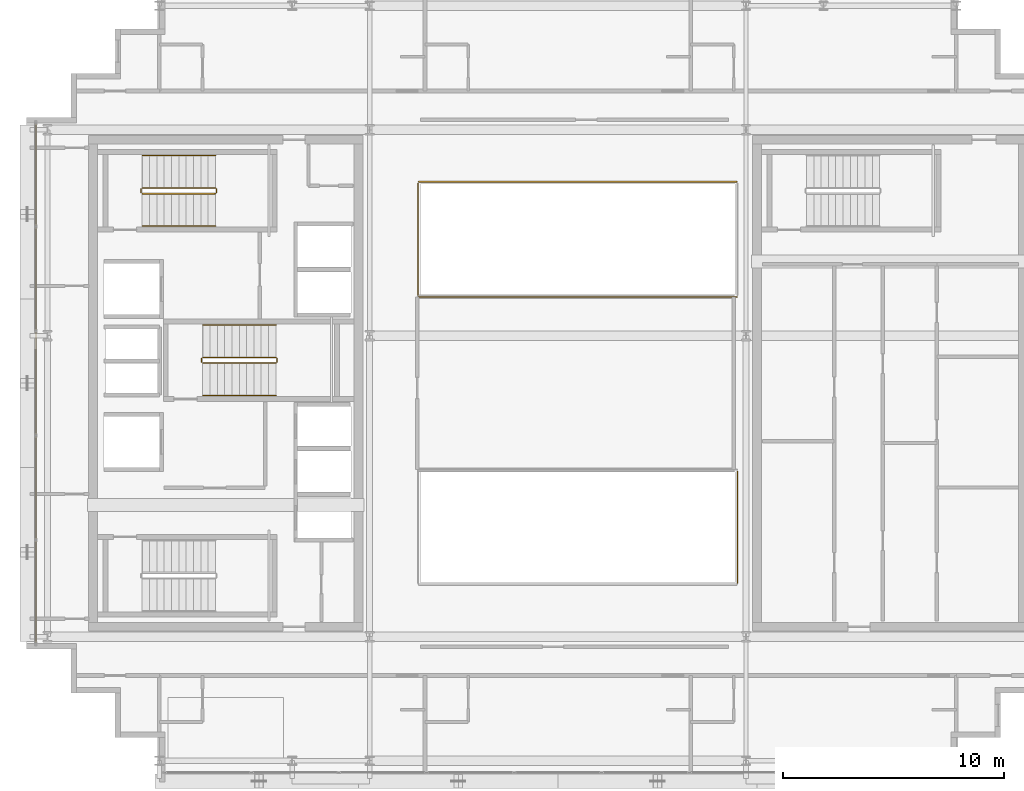
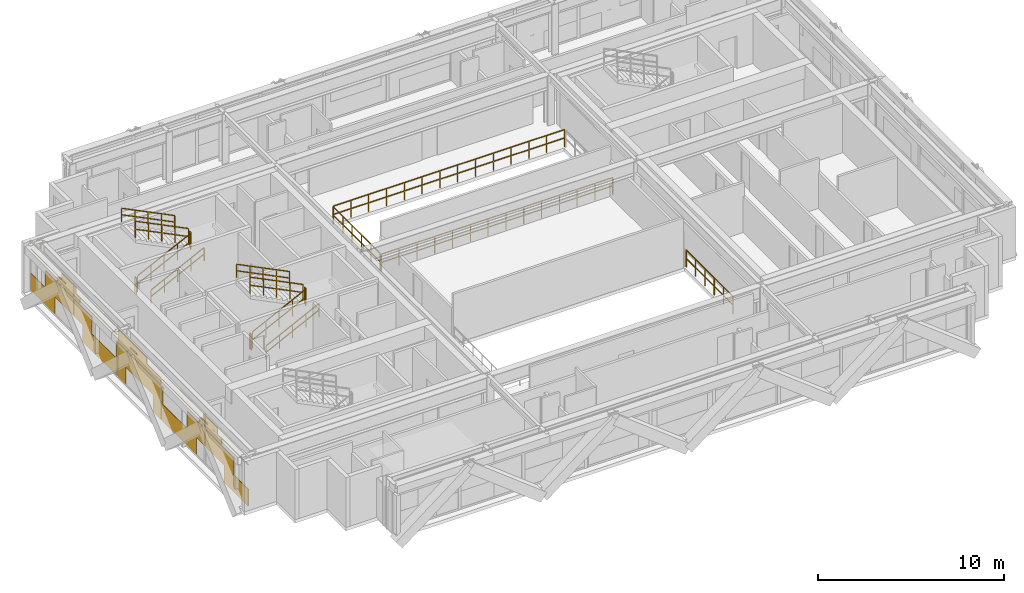
# One storey, part 26 of 28: 16 railings, 1 covering.
"""IFC4 building model written with IfcOpenShell, lengths in metres."""

import ifcopenshell
import ifcopenshell.guid

model = None  # the IFC model being written
_history = None  # IfcOwnerHistory: only IFC2X3 demands one
_inside = {}  # id of a spatial element -> (the spatial element, [elements in it])
_under = {}  # id of a project, library or spatial element -> (it, [spatial elements below it])
_declared = {}  # id of a project -> (the project, [libraries it declares])
_typed = {}  # id of a type object -> (the type object, [elements of that type])
_made_of = {}  # id of a material, layer set ... -> (it, [elements and type objects made of it])


def new_model(schema):
    """Start an empty IFC model of exactly this schema.

    Asked for "IFC4X3", IfcOpenShell would pick the latest addendum, in which some entities
    have other attributes; the version numbers below select the first issue.
    IFC2X3 requires an IfcOwnerHistory on every rooted entity: one is made here for all.
    """
    global model, _history
    if schema == "IFC4X3":
        model = ifcopenshell.file(schema_version=(4, 3, 0, 0))
    else:
        model = ifcopenshell.file(schema=schema)
    _inside.clear()
    _under.clear()
    _declared.clear()
    _typed.clear()
    _made_of.clear()
    _history = None
    if model.schema == "IFC2X3":
        org = make("IfcOrganization", Name="unknown")
        user = make(
            "IfcPersonAndOrganization",
            ThePerson=make("IfcPerson", FamilyName="unknown"),
            TheOrganization=org,
        )
        app = make(
            "IfcApplication",
            ApplicationDeveloper=org,
            Version="unknown",
            ApplicationFullName="unknown",
            ApplicationIdentifier="unknown",
        )
        _history = make(
            "IfcOwnerHistory",
            OwningUser=user,
            OwningApplication=app,
            ChangeAction="ADDED",
            CreationDate=0,
        )
    return model


def make(cls, **values):
    """One entity of the class cls with the attributes given. An attribute that is None is left unset."""
    return model.create_entity(
        cls, **{name: value for name, value in values.items() if value is not None}
    )


def rooted(cls, **values):
    """An entity with a GlobalId (a new one), such as an element, a storey or a relation."""
    return make(cls, GlobalId=ifcopenshell.guid.new(), OwnerHistory=_history, **values)


def si_unit(unit_type, name, prefix=None):
    """IfcSIUnit, for example si_unit("LENGTHUNIT", "METRE", prefix="MILLI")."""
    return make("IfcSIUnit", UnitType=unit_type, Prefix=prefix, Name=name)


def assignment(units):
    """IfcUnitAssignment: the units of a project."""
    return None if units is None else make("IfcUnitAssignment", Units=units)


def point(xyz):
    """IfcCartesianPoint."""
    return None if xyz is None else make("IfcCartesianPoint", Coordinates=xyz)


def direction(xyz):
    """IfcDirection."""
    return None if xyz is None else make("IfcDirection", DirectionRatios=xyz)


def frame(location, z_axis=None, x_axis=None):
    """IfcAxis2Placement3D, a coordinate frame: its origin and axes. An axis left out is left unset."""
    return make(
        "IfcAxis2Placement3D",
        Location=point(location),
        Axis=direction(z_axis),
        RefDirection=direction(x_axis),
    )


def frame_2d(location, x_axis=None):
    """IfcAxis2Placement2D, a coordinate frame in the plane: its origin and x axis."""
    return make(
        "IfcAxis2Placement2D", Location=point(location), RefDirection=direction(x_axis)
    )


def origin():
    """The frame at (0, 0, 0) with its axes left unset."""
    return frame((0.0, 0.0, 0.0))


def origin_2d():
    """The frame at (0, 0) in the plane with its x axis left unset."""
    return frame_2d((0.0, 0.0))


def place(relative_to, where):
    """IfcLocalPlacement: puts the frame where relative to a parent placement (None: the world)."""
    return make(
        "IfcLocalPlacement", PlacementRelTo=relative_to, RelativePlacement=where
    )


def context(
    kind, dimensions, precision=None, world=None, true_north=None, identifier=None
):
    """IfcGeometricRepresentationContext, for example the 3D "Model" context."""
    return make(
        "IfcGeometricRepresentationContext",
        ContextIdentifier=identifier,
        ContextType=kind,
        CoordinateSpaceDimension=dimensions,
        Precision=precision,
        WorldCoordinateSystem=world,
        TrueNorth=true_north,
    )


def subcontext(parent, identifier, kind, view, scale=None):
    """IfcGeometricRepresentationSubContext, for example "Body" below "Model"."""
    return make(
        "IfcGeometricRepresentationSubContext",
        ContextIdentifier=identifier,
        ContextType=kind,
        ParentContext=parent,
        TargetScale=scale,
        TargetView=view,
    )


def project(units=None, contexts=None):
    """IfcProject with its units and contexts."""
    return rooted(
        "IfcProject",
        Name="project",
        RepresentationContexts=contexts,
        UnitsInContext=assignment(units),
    )


def spatial(cls, under=None, at=None, **own):
    """A site, building, storey or space (cls), placed at a placement, below another one or the project."""
    s = rooted(cls, ObjectPlacement=at, **own)
    if under is not None:
        _under.setdefault(under.id(), (under, []))[1].append(s)
    return s


def profile(cls, at=None, kind="AREA", **sizes):
    """A parametric profile (cls). Its sizes go by their IFC names, for example OverallWidth=200.0."""
    return make(cls, ProfileType=kind, Position=at, **sizes)


def rectangle(**sizes):
    """IfcRectangleProfileDef."""
    return profile("IfcRectangleProfileDef", **sizes)


def extrude(swept, where, along, depth):
    """IfcExtrudedAreaSolid: the profile swept, set in the frame where, extruded along a direction by depth."""
    return make(
        "IfcExtrudedAreaSolid",
        SweptArea=swept,
        Position=where,
        ExtrudedDirection=direction(along),
        Depth=depth,
    )


def shape(context_of_items, identifier, shape_type, items):
    """IfcShapeRepresentation: the items that make up one representation, for example the "Body"."""
    return make(
        "IfcShapeRepresentation",
        ContextOfItems=context_of_items,
        RepresentationIdentifier=identifier,
        RepresentationType=shape_type,
        Items=items,
    )


def material(Name=None, Category=None):
    """IfcMaterial."""
    return make("IfcMaterial", Name=Name, Category=Category)


def layer(
    of_material, thickness, ventilated=None, Name=None, Category=None, Priority=None
):
    """IfcMaterialLayer: one layer of a wall or slab, of a material (None: an air gap)."""
    return make(
        "IfcMaterialLayer",
        Material=of_material,
        LayerThickness=thickness,
        IsVentilated=ventilated,
        Name=Name,
        Category=Category,
        Priority=Priority,
    )


def layer_set(layers, Name=None):
    """IfcMaterialLayerSet."""
    return make("IfcMaterialLayerSet", MaterialLayers=layers, LayerSetName=Name)


def made_of(thing, what):
    """Note that an element or type object is made of a material, layer set ...; save() writes the relation."""
    if what is not None:
        _made_of.setdefault(what.id(), (what, []))[1].append(thing)
    return thing


def type_object(cls, material=None, **own):
    """A type object (cls), such as IfcWallType, which elements share."""
    return made_of(rooted(cls, **own), material)


def element(
    cls,
    number,
    at=None,
    inside=None,
    cuts=None,
    type_object=None,
    material=None,
    context=None,
    identifier="Body",
    shape_type=None,
    held_by="IfcProductDefinitionShape",
    body=None,
    shapes=None,
    **own,
):
    """One element of the class cls, such as IfcWall. Its Tag is "e" and its number.

    at: its placement. inside: the storey or other place that contains it. cuts: it is an
    opening in that element (IfcRelVoidsElement). A single representation is given by context,
    identifier, shape_type and body (its items); several are given by shapes. held_by: the class
    of the entity that holds the representations. save() writes the other relations.
    """
    e = rooted(cls, Tag="e%d" % number, ObjectPlacement=at, **own)
    if body is not None:
        shapes = [shape(context, identifier, shape_type, body)]
    if shapes is not None:
        e.Representation = make(held_by, Representations=shapes)
    if inside is not None:
        _inside.setdefault(inside.id(), (inside, []))[1].append(e)
    if cuts is not None:
        rooted(
            "IfcRelVoidsElement", RelatingBuildingElement=cuts, RelatedOpeningElement=e
        )
    if type_object is not None:
        _typed.setdefault(type_object.id(), (type_object, []))[1].append(e)
    return made_of(e, material)


def aggregate(whole, parts):
    """IfcRelAggregates: a whole, such as a stair, and the parts it consists of."""
    return rooted("IfcRelAggregates", RelatingObject=whole, RelatedObjects=parts)


def save(model, path):
    """Write the relations noted so far, then the file.

    IfcRelAggregates (storeys below a building ...), IfcRelContainedInSpatialStructure (elements
    in a storey), IfcRelDefinesByType, IfcRelAssociatesMaterial and IfcRelDeclares: one each for
    every whole, place, type object, material and project.
    """
    for whole, parts in _under.values():
        aggregate(whole, parts)
    for where, things in _inside.values():
        rooted(
            "IfcRelContainedInSpatialStructure",
            RelatedElements=things,
            RelatingStructure=where,
        )
    for kind, things in _typed.values():
        rooted("IfcRelDefinesByType", RelatedObjects=things, RelatingType=kind)
    for what, things in _made_of.values():
        rooted("IfcRelAssociatesMaterial", RelatedObjects=things, RelatingMaterial=what)
    for by, libraries in _declared.values():
        rooted("IfcRelDeclares", RelatingContext=by, RelatedDefinitions=libraries)
    model.write(path)


model = new_model("IFC4")

# Units and contexts
model_context = context("Model", 3, precision=1e-05, world=origin(), true_north=direction((0.0, 1.0)))
body_context = subcontext(model_context, "Body", "Model", "MODEL_VIEW")
ifc_project = project(units=[si_unit("LENGTHUNIT", "METRE"), si_unit("AREAUNIT", "SQUARE_METRE"), si_unit("VOLUMEUNIT", "CUBIC_METRE"), si_unit("PLANEANGLEUNIT", "RADIAN"), si_unit("MASSUNIT", "GRAM", prefix="KILO")], contexts=[model_context])

# Site, building, storey
site_placement = place(None, origin())
site = spatial("IfcSite", under=ifc_project, at=site_placement, CompositionType="ELEMENT")
building_placement = place(site_placement, origin())
building = spatial("IfcBuilding", under=site, at=building_placement, Name="Ocotamira Hotel", CompositionType="ELEMENT")
storey_placement = place(building_placement, frame((0.0, 0.0, 243.60009765625)))
storey = spatial("IfcBuildingStorey", under=building, at=storey_placement, Name="L61", CompositionType="ELEMENT", Elevation=243.60009765625)

# Covering
ifc_material_1 = material(Name="Insulated pale-metal aluminium spandrel panel", Category="aluminium")
ifc_layer = layer(ifc_material_1, 0.044921875)
ifc_layer_set = layer_set([ifc_layer], Name="Insulated pale-metal aluminium spandrel panel")
covering_type = type_object("IfcCoveringType", Name="COV-INFILL-45", PredefinedType="CLADDING", material=ifc_layer_set)
covering_placement = place(storey_placement, origin())
element("IfcCovering", 1, at=covering_placement, inside=storey, type_object=covering_type, Name="L61 Curtain Wall Infill CW-5 CW-L61-W", PredefinedType="CLADDING", context=body_context, shape_type="SweptSolid", body=[
    extrude(rectangle(XDim=2.60107421875, YDim=0.044921875, at=origin_2d()), frame((8.419921875, 15.5810546875, 0.075439453125), z_axis=(0.0, 0.0, 1.0), x_axis=(0.0, 1.0, 0.0)), (0.0, 0.0, 1.0), 1.11767578125),
    extrude(rectangle(XDim=3.03271484375, YDim=0.044921875, at=origin_2d()), frame((8.419921875, 17.36328125, 1.19384765625), z_axis=(0.0, 0.0, 1.0), x_axis=(0.0, 1.0, 0.0)), (0.0, 0.0, 1.0), 1.117919921875),
    extrude(rectangle(XDim=4.59912109375, YDim=0.044921875, at=origin_2d()), frame((8.419921875, 16.580078125, 2.76171875), z_axis=(0.0, 0.0, 1.0), x_axis=(0.0, 1.0, 0.0)), (0.0, 0.0, 1.0), 0.026611328125),
    extrude(rectangle(XDim=1.73095703125, YDim=0.044921875, at=origin_2d()), frame((8.419921875, 18.01416015625, 2.3876953125), z_axis=(0.0, 0.0, 1.0), x_axis=(0.0, 1.0, 0.0)), (0.0, 0.0, 1.0), 0.372802734375),
    extrude(rectangle(XDim=1.293212890625, YDim=0.044921875, at=origin_2d()), frame((8.419921875, 18.23291015625, 2.789306640625), z_axis=(0.0, 0.0, 1.0), x_axis=(0.0, 1.0, 0.0)), (0.0, 0.0, 1.0), 0.4150390625),
    extrude(rectangle(XDim=1.92578125, YDim=0.044921875, at=origin_2d()), frame((8.419921875, 19.92333984375, 1.19384765625), z_axis=(0.0, 0.0, 1.0), x_axis=(0.0, 1.0, 0.0)), (0.0, 0.0, 1.0), 1.117919921875),
    extrude(rectangle(XDim=3.747802734375, YDim=0.044921875, at=origin_2d()), frame((8.419921875, 21.7255859375, 0.075439453125), z_axis=(0.0, 0.0, 1.0), x_axis=(0.0, 1.0, 0.0)), (0.0, 0.0, 1.0), 1.11767578125),
    extrude(rectangle(XDim=0.119384765625, YDim=0.044921875, at=origin_2d()), frame((8.419921875, 23.539794921875, 1.19384765625), z_axis=(0.0, 0.0, 1.0), x_axis=(0.0, 1.0, 0.0)), (0.0, 0.0, 1.0), 1.117919921875),
    extrude(rectangle(XDim=0.6240234375, YDim=0.044921875, at=origin_2d()), frame((8.419921875, 19.2724609375, 2.3876953125), z_axis=(0.0, 0.0, 1.0), x_axis=(0.0, 1.0, 0.0)), (0.0, 0.0, 1.0), 0.372802734375),
    extrude(rectangle(XDim=4.638916015625, YDim=0.044921875, at=origin_2d()), frame((8.419921875, 21.280029296875, 2.76171875), z_axis=(0.0, 0.0, 1.0), x_axis=(0.0, 1.0, 0.0)), (0.0, 0.0, 1.0), 0.026611328125),
    extrude(rectangle(XDim=0.186279296875, YDim=0.044921875, at=origin_2d()), frame((8.419921875, 19.0537109375, 2.789306640625), z_axis=(0.0, 0.0, 1.0), x_axis=(0.0, 1.0, 0.0)), (0.0, 0.0, 1.0), 0.4150390625),
    extrude(rectangle(XDim=0.83447265625, YDim=0.044921875, at=origin_2d()), frame((8.419921875, 24.09765625, 0.075439453125), z_axis=(0.0, 0.0, 1.0), x_axis=(0.0, 1.0, 0.0)), (0.0, 0.0, 1.0), 1.11767578125),
    extrude(rectangle(XDim=4.638916015625, YDim=0.044921875, at=origin_2d()), frame((8.419921875, 26.0, 1.19384765625), z_axis=(0.0, 0.0, 1.0), x_axis=(0.0, 1.0, 0.0)), (0.0, 0.0, 1.0), 1.117919921875),
    extrude(rectangle(XDim=0.83447265625, YDim=0.044921875, at=origin_2d()), frame((8.419921875, 27.90234375, 0.075439453125), z_axis=(0.0, 0.0, 1.0), x_axis=(0.0, 1.0, 0.0)), (0.0, 0.0, 1.0), 1.11767578125),
    extrude(rectangle(XDim=4.638916015625, YDim=0.044921875, at=origin_2d()), frame((8.419921875, 26.0, 2.387939453125), z_axis=(0.0, 0.0, 1.0), x_axis=(0.0, 1.0, 0.0)), (0.0, 0.0, 1.0), 0.400390625),
    extrude(rectangle(XDim=3.099609375, YDim=0.044921875, at=origin_2d()), frame((8.419921875, 26.76953125, 2.789306640625), z_axis=(0.0, 0.0, 1.0), x_axis=(0.0, 1.0, 0.0)), (0.0, 0.0, 1.0), 0.4150390625),
    extrude(rectangle(XDim=3.747802734375, YDim=0.044921875, at=origin_2d()), frame((8.419921875, 30.2744140625, 0.075439453125), z_axis=(0.0, 0.0, 1.0), x_axis=(0.0, 1.0, 0.0)), (0.0, 0.0, 1.0), 1.11767578125),
    extrude(rectangle(XDim=0.119384765625, YDim=0.044921875, at=origin_2d()), frame((8.419921875, 28.460205078125, 1.19384765625), z_axis=(0.0, 0.0, 1.0), x_axis=(0.0, 1.0, 0.0)), (0.0, 0.0, 1.0), 1.117919921875),
    extrude(rectangle(XDim=1.92578125, YDim=0.044921875, at=origin_2d()), frame((8.419921875, 32.07666015625, 1.19384765625), z_axis=(0.0, 0.0, 1.0), x_axis=(0.0, 1.0, 0.0)), (0.0, 0.0, 1.0), 1.117919921875),
    extrude(rectangle(XDim=4.638916015625, YDim=0.044921875, at=origin_2d()), frame((8.419921875, 30.719970703125, 2.76171875), z_axis=(0.0, 0.0, 1.0), x_axis=(0.0, 1.0, 0.0)), (0.0, 0.0, 1.0), 0.026611328125),
    extrude(rectangle(XDim=0.6240234375, YDim=0.044921875, at=origin_2d()), frame((8.419921875, 32.7275390625, 2.3876953125), z_axis=(0.0, 0.0, 1.0), x_axis=(0.0, 1.0, 0.0)), (0.0, 0.0, 1.0), 0.372802734375),
    extrude(rectangle(XDim=0.186279296875, YDim=0.044921875, at=origin_2d()), frame((8.419921875, 32.9462890625, 2.789306640625), z_axis=(0.0, 0.0, 1.0), x_axis=(0.0, 1.0, 0.0)), (0.0, 0.0, 1.0), 0.4150390625),
    extrude(rectangle(XDim=3.03271484375, YDim=0.044921875, at=origin_2d()), frame((8.419921875, 34.63671875, 1.19384765625), z_axis=(0.0, 0.0, 1.0), x_axis=(0.0, 1.0, 0.0)), (0.0, 0.0, 1.0), 1.117919921875),
    extrude(rectangle(XDim=2.60107421875, YDim=0.044921875, at=origin_2d()), frame((8.419921875, 36.4189453125, 0.075439453125), z_axis=(0.0, 0.0, 1.0), x_axis=(0.0, 1.0, 0.0)), (0.0, 0.0, 1.0), 1.11767578125),
    extrude(rectangle(XDim=1.73095703125, YDim=0.044921875, at=origin_2d()), frame((8.419921875, 33.98583984375, 2.3876953125), z_axis=(0.0, 0.0, 1.0), x_axis=(0.0, 1.0, 0.0)), (0.0, 0.0, 1.0), 0.372802734375),
    extrude(rectangle(XDim=4.59912109375, YDim=0.044921875, at=origin_2d()), frame((8.419921875, 35.419921875, 2.76171875), z_axis=(0.0, 0.0, 1.0), x_axis=(0.0, 1.0, 0.0)), (0.0, 0.0, 1.0), 0.026611328125),
    extrude(rectangle(XDim=1.293212890625, YDim=0.044921875, at=origin_2d()), frame((8.419921875, 33.76708984375, 2.789306640625), z_axis=(0.0, 0.0, 1.0), x_axis=(0.0, 1.0, 0.0)), (0.0, 0.0, 1.0), 0.4150390625),
])

# Railings
ifc_material_2 = material(Name="Painted steel stair guardrail", Category="steel")
railing_type_1 = type_object("IfcRailingType", Name="RL-EDGE-1150", PredefinedType="GUARDRAIL", material=ifc_material_2)
railing_1_placement = place(storey_placement, frame((40.1201171875, 16.97998046875, 0.0)))
element("IfcRailing", 2, at=railing_1_placement, inside=storey, type_object=railing_type_1, Name="L61 Atrium Bridge Lightwell Guard S E", PredefinedType="GUARDRAIL", context=body_context, shape_type="SweptSolid", body=[
    extrude(rectangle(XDim=0.048095703125, YDim=0.048095703125, at=origin_2d()), frame((0.0, 0.0, 1.1259765625), z_axis=(0.0, 1.0, 0.0), x_axis=(-1.0, 0.0, 0.0)), (0.0, 0.0, 1.0), 5.0400390625),
    extrude(rectangle(XDim=0.048095703125, YDim=0.048095703125, at=origin_2d()), frame((0.0, 0.0, 0.574951171875), z_axis=(0.0, 1.0, 0.0), x_axis=(-1.0, 0.0, 0.0)), (0.0, 0.0, 1.0), 5.0400390625),
    extrude(rectangle(XDim=0.0419921875, YDim=0.0419921875, at=origin_2d()), origin(), (0.0, 0.0, 1.0), 1.101806640625),
    extrude(rectangle(XDim=0.0419921875, YDim=0.0419921875, at=origin_2d()), frame((0.0, 1.008056640625, 0.0)), (0.0, 0.0, 1.0), 1.101806640625),
    extrude(rectangle(XDim=0.0419921875, YDim=0.0419921875, at=origin_2d()), frame((0.0, 2.01611328125, 0.0)), (0.0, 0.0, 1.0), 1.101806640625),
    extrude(rectangle(XDim=0.0419921875, YDim=0.0419921875, at=origin_2d()), frame((0.0, 3.02392578125, 0.0)), (0.0, 0.0, 1.0), 1.101806640625),
    extrude(rectangle(XDim=0.0419921875, YDim=0.0419921875, at=origin_2d()), frame((0.0, 4.031982421875, 0.0)), (0.0, 0.0, 1.0), 1.101806640625),
    extrude(rectangle(XDim=0.0419921875, YDim=0.0419921875, at=origin_2d()), frame((0.0, 5.0400390625, 0.0)), (0.0, 0.0, 1.0), 1.101806640625),
])
railing_2_placement = place(storey_placement, frame((25.699951171875, 29.89990234375, 0.0)))
element("IfcRailing", 3, at=railing_2_placement, inside=storey, type_object=railing_type_1, Name="L61 Atrium Bridge Lightwell Guard N S", PredefinedType="GUARDRAIL", context=body_context, shape_type="SweptSolid", body=[
    extrude(rectangle(XDim=0.048095703125, YDim=0.048095703125, at=origin_2d()), frame((0.0, 0.0, 1.1259765625), z_axis=(1.0, 0.0, 0.0), x_axis=(0.0, 1.0, 0.0)), (0.0, 0.0, 1.0), 14.400146484375),
    extrude(rectangle(XDim=0.048095703125, YDim=0.048095703125, at=origin_2d()), frame((0.0, 0.0, 0.574951171875), z_axis=(1.0, 0.0, 0.0), x_axis=(0.0, 1.0, 0.0)), (0.0, 0.0, 1.0), 14.400146484375),
    extrude(rectangle(XDim=0.0419921875, YDim=0.0419921875, at=origin_2d()), origin(), (0.0, 0.0, 1.0), 1.101806640625),
    extrude(rectangle(XDim=0.0419921875, YDim=0.0419921875, at=origin_2d()), frame((1.107666015625, 0.0, 0.0)), (0.0, 0.0, 1.0), 1.101806640625),
    extrude(rectangle(XDim=0.0419921875, YDim=0.0419921875, at=origin_2d()), frame((2.21533203125, 0.0, 0.0)), (0.0, 0.0, 1.0), 1.101806640625),
    extrude(rectangle(XDim=0.0419921875, YDim=0.0419921875, at=origin_2d()), frame((3.322998046875, 0.0, 0.0)), (0.0, 0.0, 1.0), 1.101806640625),
    extrude(rectangle(XDim=0.0419921875, YDim=0.0419921875, at=origin_2d()), frame((4.430908203125, 0.0, 0.0)), (0.0, 0.0, 1.0), 1.101806640625),
    extrude(rectangle(XDim=0.0419921875, YDim=0.0419921875, at=origin_2d()), frame((5.53857421875, 0.0, 0.0)), (0.0, 0.0, 1.0), 1.101806640625),
    extrude(rectangle(XDim=0.0419921875, YDim=0.0419921875, at=origin_2d()), frame((6.646240234375, 0.0, 0.0)), (0.0, 0.0, 1.0), 1.101806640625),
    extrude(rectangle(XDim=0.0419921875, YDim=0.0419921875, at=origin_2d()), frame((7.75390625, 0.0, 0.0)), (0.0, 0.0, 1.0), 1.101806640625),
    extrude(rectangle(XDim=0.0419921875, YDim=0.0419921875, at=origin_2d()), frame((8.861572265625, 0.0, 0.0)), (0.0, 0.0, 1.0), 1.101806640625),
    extrude(rectangle(XDim=0.0419921875, YDim=0.0419921875, at=origin_2d()), frame((9.96923828125, 0.0, 0.0)), (0.0, 0.0, 1.0), 1.101806640625),
    extrude(rectangle(XDim=0.0419921875, YDim=0.0419921875, at=origin_2d()), frame((11.0771484375, 0.0, 0.0)), (0.0, 0.0, 1.0), 1.101806640625),
    extrude(rectangle(XDim=0.0419921875, YDim=0.0419921875, at=origin_2d()), frame((12.184814453125, 0.0, 0.0)), (0.0, 0.0, 1.0), 1.101806640625),
    extrude(rectangle(XDim=0.0419921875, YDim=0.0419921875, at=origin_2d()), frame((13.29248046875, 0.0, 0.0)), (0.0, 0.0, 1.0), 1.101806640625),
    extrude(rectangle(XDim=0.0419921875, YDim=0.0419921875, at=origin_2d()), frame((14.400146484375, 0.0, 0.0)), (0.0, 0.0, 1.0), 1.101806640625),
])
railing_3_placement = place(storey_placement, frame((40.10009765625, 35.10009765625, 0.0)))
element("IfcRailing", 4, at=railing_3_placement, inside=storey, type_object=railing_type_1, Name="L61 Atrium Bridge Lightwell Guard N N", PredefinedType="GUARDRAIL", context=body_context, shape_type="SweptSolid", body=[
    extrude(rectangle(XDim=0.048095703125, YDim=0.048095703125, at=origin_2d()), frame((0.0, 0.0, 1.1259765625), z_axis=(-1.0, 0.0, 0.0), x_axis=(0.0, -1.0, 0.0)), (0.0, 0.0, 1.0), 14.400146484375),
    extrude(rectangle(XDim=0.048095703125, YDim=0.048095703125, at=origin_2d()), frame((0.0, 0.0, 0.574951171875), z_axis=(-1.0, 0.0, 0.0), x_axis=(0.0, -1.0, 0.0)), (0.0, 0.0, 1.0), 14.400146484375),
    extrude(rectangle(XDim=0.0419921875, YDim=0.0419921875, at=origin_2d()), origin(), (0.0, 0.0, 1.0), 1.101806640625),
    extrude(rectangle(XDim=0.0419921875, YDim=0.0419921875, at=origin_2d()), frame((-1.107666015625, 0.0, 0.0)), (0.0, 0.0, 1.0), 1.101806640625),
    extrude(rectangle(XDim=0.0419921875, YDim=0.0419921875, at=origin_2d()), frame((-2.21533203125, 0.0, 0.0)), (0.0, 0.0, 1.0), 1.101806640625),
    extrude(rectangle(XDim=0.0419921875, YDim=0.0419921875, at=origin_2d()), frame((-3.322998046875, 0.0, 0.0)), (0.0, 0.0, 1.0), 1.101806640625),
    extrude(rectangle(XDim=0.0419921875, YDim=0.0419921875, at=origin_2d()), frame((-4.430908203125, 0.0, 0.0)), (0.0, 0.0, 1.0), 1.101806640625),
    extrude(rectangle(XDim=0.0419921875, YDim=0.0419921875, at=origin_2d()), frame((-5.53857421875, 0.0, 0.0)), (0.0, 0.0, 1.0), 1.101806640625),
    extrude(rectangle(XDim=0.0419921875, YDim=0.0419921875, at=origin_2d()), frame((-6.646240234375, 0.0, 0.0)), (0.0, 0.0, 1.0), 1.101806640625),
    extrude(rectangle(XDim=0.0419921875, YDim=0.0419921875, at=origin_2d()), frame((-7.75390625, 0.0, 0.0)), (0.0, 0.0, 1.0), 1.101806640625),
    extrude(rectangle(XDim=0.0419921875, YDim=0.0419921875, at=origin_2d()), frame((-8.861572265625, 0.0, 0.0)), (0.0, 0.0, 1.0), 1.101806640625),
    extrude(rectangle(XDim=0.0419921875, YDim=0.0419921875, at=origin_2d()), frame((-9.96923828125, 0.0, 0.0)), (0.0, 0.0, 1.0), 1.101806640625),
    extrude(rectangle(XDim=0.0419921875, YDim=0.0419921875, at=origin_2d()), frame((-11.0771484375, 0.0, 0.0)), (0.0, 0.0, 1.0), 1.101806640625),
    extrude(rectangle(XDim=0.0419921875, YDim=0.0419921875, at=origin_2d()), frame((-12.184814453125, 0.0, 0.0)), (0.0, 0.0, 1.0), 1.101806640625),
    extrude(rectangle(XDim=0.0419921875, YDim=0.0419921875, at=origin_2d()), frame((-13.29248046875, 0.0, 0.0)), (0.0, 0.0, 1.0), 1.101806640625),
    extrude(rectangle(XDim=0.0419921875, YDim=0.0419921875, at=origin_2d()), frame((-14.400146484375, 0.0, 0.0)), (0.0, 0.0, 1.0), 1.101806640625),
])
railing_4_placement = place(storey_placement, frame((25.679931640625, 35.02001953125, 0.0)))
element("IfcRailing", 5, at=railing_4_placement, inside=storey, type_object=railing_type_1, Name="L61 Atrium Bridge Lightwell Guard N W", PredefinedType="GUARDRAIL", context=body_context, shape_type="SweptSolid", body=[
    extrude(rectangle(XDim=0.048095703125, YDim=0.048095703125, at=origin_2d()), frame((0.0, 0.0, 1.1259765625), z_axis=(0.0, -1.0, 0.0), x_axis=(1.0, 0.0, 0.0)), (0.0, 0.0, 1.0), 5.0400390625),
    extrude(rectangle(XDim=0.048095703125, YDim=0.048095703125, at=origin_2d()), frame((0.0, 0.0, 0.574951171875), z_axis=(0.0, -1.0, 0.0), x_axis=(1.0, 0.0, 0.0)), (0.0, 0.0, 1.0), 5.0400390625),
    extrude(rectangle(XDim=0.0419921875, YDim=0.0419921875, at=origin_2d()), origin(), (0.0, 0.0, 1.0), 1.101806640625),
    extrude(rectangle(XDim=0.0419921875, YDim=0.0419921875, at=origin_2d()), frame((0.0, -1.008056640625, 0.0)), (0.0, 0.0, 1.0), 1.101806640625),
    extrude(rectangle(XDim=0.0419921875, YDim=0.0419921875, at=origin_2d()), frame((0.0, -2.01611328125, 0.0)), (0.0, 0.0, 1.0), 1.101806640625),
    extrude(rectangle(XDim=0.0419921875, YDim=0.0419921875, at=origin_2d()), frame((0.0, -3.02392578125, 0.0)), (0.0, 0.0, 1.0), 1.101806640625),
    extrude(rectangle(XDim=0.0419921875, YDim=0.0419921875, at=origin_2d()), frame((0.0, -4.031982421875, 0.0)), (0.0, 0.0, 1.0), 1.101806640625),
    extrude(rectangle(XDim=0.0419921875, YDim=0.0419921875, at=origin_2d()), frame((0.0, -5.0400390625, 0.0)), (0.0, 0.0, 1.0), 1.101806640625),
])
ifc_material_3 = material(Name="Brushed stainless steel handrail", Category="steel")
railing_type_2 = type_object("IfcRailingType", Name="RL-HAND-900", PredefinedType="HANDRAIL", material=ifc_material_3)
railing_5_placement = place(storey_placement, frame((13.22998046875, 33.10009765625, 0.3271484375)))
element("IfcRailing", 6, at=railing_5_placement, inside=storey, type_object=railing_type_2, Name="L61 ST-2 stair handrail 1", PredefinedType="HANDRAIL", context=body_context, shape_type="SweptSolid", body=[
    extrude(rectangle(XDim=0.048095703125, YDim=0.048095703125, at=origin_2d()), frame((0.0, 0.0, 0.8759765625), z_axis=(0.895893744519, 0.0, 0.4442683857), x_axis=(0.0, 1.0, 0.0)), (0.0, 0.0, 1.0), 3.68359375),
    extrude(rectangle(XDim=0.048095703125, YDim=0.048095703125, at=origin_2d()), frame((0.0, 0.0, 0.449951171875), z_axis=(0.895893744519, 0.0, 0.4442683857), x_axis=(0.0, 1.0, 0.0)), (0.0, 0.0, 1.0), 3.68359375),
    extrude(rectangle(XDim=0.0419921875, YDim=0.0419921875, at=origin_2d()), origin(), (0.0, 0.0, 1.0), 0.851806640625),
    extrude(rectangle(XDim=0.0419921875, YDim=0.0419921875, at=origin_2d()), frame((0.824951171875, 0.0, 0.4091796875)), (0.0, 0.0, 1.0), 0.851806640625),
    extrude(rectangle(XDim=0.0419921875, YDim=0.0419921875, at=origin_2d()), frame((1.64990234375, 0.0, 0.818359375)), (0.0, 0.0, 1.0), 0.851806640625),
    extrude(rectangle(XDim=0.0419921875, YDim=0.0419921875, at=origin_2d()), frame((2.47509765625, 0.0, 1.227294921875)), (0.0, 0.0, 1.0), 0.851806640625),
    extrude(rectangle(XDim=0.0419921875, YDim=0.0419921875, at=origin_2d()), frame((3.300048828125, 0.0, 1.636474609375)), (0.0, 0.0, 1.0), 0.851806640625),
])
railing_6_placement = place(storey_placement, frame((16.530029296875, 36.280029296875, 2.127197265625)))
element("IfcRailing", 7, at=railing_6_placement, inside=storey, type_object=railing_type_2, Name="L61 ST-2 stair handrail 2", PredefinedType="HANDRAIL", context=body_context, shape_type="SweptSolid", body=[
    extrude(rectangle(XDim=0.048095703125, YDim=0.048095703125, at=origin_2d()), frame((0.0, 0.0, 0.8759765625), z_axis=(-0.895920123917, 0.0, 0.444215186098), x_axis=(0.0, -1.0, 0.0)), (0.0, 0.0, 1.0), 3.683349609375),
    extrude(rectangle(XDim=0.048095703125, YDim=0.048095703125, at=origin_2d()), frame((0.0, 0.0, 0.449951171875), z_axis=(-0.895920123917, 0.0, 0.444215186098), x_axis=(0.0, -1.0, 0.0)), (0.0, 0.0, 1.0), 3.683349609375),
    extrude(rectangle(XDim=0.0419921875, YDim=0.0419921875, at=origin_2d()), origin(), (0.0, 0.0, 1.0), 0.851806640625),
    extrude(rectangle(XDim=0.0419921875, YDim=0.0419921875, at=origin_2d()), frame((-0.824951171875, 0.0, 0.4091796875)), (0.0, 0.0, 1.0), 0.851806640625),
    extrude(rectangle(XDim=0.0419921875, YDim=0.0419921875, at=origin_2d()), frame((-1.64990234375, 0.0, 0.818115234375)), (0.0, 0.0, 1.0), 0.851806640625),
    extrude(rectangle(XDim=0.0419921875, YDim=0.0419921875, at=origin_2d()), frame((-2.47509765625, 0.0, 1.22705078125)), (0.0, 0.0, 1.0), 0.851806640625),
    extrude(rectangle(XDim=0.0419921875, YDim=0.0419921875, at=origin_2d()), frame((-3.300048828125, 0.0, 1.63623046875)), (0.0, 0.0, 1.0), 0.851806640625),
])
railing_7_placement = place(storey_placement, frame((15.9599609375, 25.449951171875, 0.3271484375)))
element("IfcRailing", 8, at=railing_7_placement, inside=storey, type_object=railing_type_2, Name="L61 ST-3 stair handrail 1", PredefinedType="HANDRAIL", context=body_context, shape_type="SweptSolid", body=[
    extrude(rectangle(XDim=0.048095703125, YDim=0.048095703125, at=origin_2d()), frame((0.0, 0.0, 0.8759765625), z_axis=(0.895893744519, 0.0, 0.4442683857), x_axis=(0.0, 1.0, 0.0)), (0.0, 0.0, 1.0), 3.68359375),
    extrude(rectangle(XDim=0.048095703125, YDim=0.048095703125, at=origin_2d()), frame((0.0, 0.0, 0.449951171875), z_axis=(0.895893744519, 0.0, 0.4442683857), x_axis=(0.0, 1.0, 0.0)), (0.0, 0.0, 1.0), 3.68359375),
    extrude(rectangle(XDim=0.0419921875, YDim=0.0419921875, at=origin_2d()), origin(), (0.0, 0.0, 1.0), 0.851806640625),
    extrude(rectangle(XDim=0.0419921875, YDim=0.0419921875, at=origin_2d()), frame((0.824951171875, 0.0, 0.4091796875)), (0.0, 0.0, 1.0), 0.851806640625),
    extrude(rectangle(XDim=0.0419921875, YDim=0.0419921875, at=origin_2d()), frame((1.64990234375, 0.0, 0.818359375)), (0.0, 0.0, 1.0), 0.851806640625),
    extrude(rectangle(XDim=0.0419921875, YDim=0.0419921875, at=origin_2d()), frame((2.47509765625, 0.0, 1.227294921875)), (0.0, 0.0, 1.0), 0.851806640625),
    extrude(rectangle(XDim=0.0419921875, YDim=0.0419921875, at=origin_2d()), frame((3.300048828125, 0.0, 1.636474609375)), (0.0, 0.0, 1.0), 0.851806640625),
])
railing_8_placement = place(storey_placement, frame((19.260009765625, 28.6298828125, 2.127197265625)))
element("IfcRailing", 9, at=railing_8_placement, inside=storey, type_object=railing_type_2, Name="L61 ST-3 stair handrail 2", PredefinedType="HANDRAIL", context=body_context, shape_type="SweptSolid", body=[
    extrude(rectangle(XDim=0.048095703125, YDim=0.048095703125, at=origin_2d()), frame((0.0, 0.0, 0.8759765625), z_axis=(-0.895920123917, 0.0, 0.444215186098), x_axis=(0.0, -1.0, 0.0)), (0.0, 0.0, 1.0), 3.683349609375),
    extrude(rectangle(XDim=0.048095703125, YDim=0.048095703125, at=origin_2d()), frame((0.0, 0.0, 0.449951171875), z_axis=(-0.895920123917, 0.0, 0.444215186098), x_axis=(0.0, -1.0, 0.0)), (0.0, 0.0, 1.0), 3.683349609375),
    extrude(rectangle(XDim=0.0419921875, YDim=0.0419921875, at=origin_2d()), origin(), (0.0, 0.0, 1.0), 0.851806640625),
    extrude(rectangle(XDim=0.0419921875, YDim=0.0419921875, at=origin_2d()), frame((-0.824951171875, 0.0, 0.4091796875)), (0.0, 0.0, 1.0), 0.851806640625),
    extrude(rectangle(XDim=0.0419921875, YDim=0.0419921875, at=origin_2d()), frame((-1.64990234375, 0.0, 0.818115234375)), (0.0, 0.0, 1.0), 0.851806640625),
    extrude(rectangle(XDim=0.0419921875, YDim=0.0419921875, at=origin_2d()), frame((-2.47509765625, 0.0, 1.22705078125)), (0.0, 0.0, 1.0), 0.851806640625),
    extrude(rectangle(XDim=0.0419921875, YDim=0.0419921875, at=origin_2d()), frame((-3.300048828125, 0.0, 1.63623046875)), (0.0, 0.0, 1.0), 0.851806640625),
])
railing_type_3 = type_object("IfcRailingType", Name="RL-STAIR-1100", PredefinedType="GUARDRAIL", material=ifc_material_2)
railing_9_placement = place(storey_placement, frame((13.22998046875, 34.56005859375, 0.16357421875)))
element("IfcRailing", 10, at=railing_9_placement, inside=storey, type_object=railing_type_3, Name="L61 ST-2 stair guard 1", PredefinedType="GUARDRAIL", context=body_context, shape_type="SweptSolid", body=[
    extrude(rectangle(XDim=0.048095703125, YDim=0.048095703125, at=origin_2d()), frame((0.0, 0.0, 1.076171875), z_axis=(0.895920123917, 0.0, 0.444215186098), x_axis=(0.0, 1.0, 0.0)), (0.0, 0.0, 1.0), 3.683349609375),
    extrude(rectangle(XDim=0.048095703125, YDim=0.048095703125, at=origin_2d()), frame((0.0, 0.0, 0.550048828125), z_axis=(0.895920123917, 0.0, 0.444215186098), x_axis=(0.0, 1.0, 0.0)), (0.0, 0.0, 1.0), 3.683349609375),
    extrude(rectangle(XDim=0.0419921875, YDim=0.0419921875, at=origin_2d()), origin(), (0.0, 0.0, 1.0), 1.052001953125),
    extrude(rectangle(XDim=0.0419921875, YDim=0.0419921875, at=origin_2d()), frame((0.824951171875, 0.0, 0.4091796875)), (0.0, 0.0, 1.0), 1.052001953125),
    extrude(rectangle(XDim=0.0419921875, YDim=0.0419921875, at=origin_2d()), frame((1.64990234375, 0.0, 0.818115234375)), (0.0, 0.0, 1.0), 1.052001953125),
    extrude(rectangle(XDim=0.0419921875, YDim=0.0419921875, at=origin_2d()), frame((2.47509765625, 0.0, 1.22705078125)), (0.0, 0.0, 1.0), 1.052001953125),
    extrude(rectangle(XDim=0.0419921875, YDim=0.0419921875, at=origin_2d()), frame((3.300048828125, 0.0, 1.63623046875)), (0.0, 0.0, 1.0), 1.052001953125),
])
railing_10_placement = place(storey_placement, frame((16.580078125, 34.610107421875, 1.7998046875)))
element("IfcRailing", 11, at=railing_10_placement, inside=storey, type_object=railing_type_3, Name="L61 ST-2 stair guard 2", PredefinedType="GUARDRAIL", context=body_context, shape_type="SweptSolid", body=[
    extrude(rectangle(XDim=0.048095703125, YDim=0.048095703125, at=origin_2d()), frame((0.0, 0.0, 1.076171875), z_axis=(0.0, 1.0, 0.0), x_axis=(-1.0, 0.0, 0.0)), (0.0, 0.0, 1.0), 0.159912109375),
    extrude(rectangle(XDim=0.048095703125, YDim=0.048095703125, at=origin_2d()), frame((0.0, 0.0, 0.550048828125), z_axis=(0.0, 1.0, 0.0), x_axis=(-1.0, 0.0, 0.0)), (0.0, 0.0, 1.0), 0.159912109375),
    extrude(rectangle(XDim=0.0419921875, YDim=0.0419921875, at=origin_2d()), origin(), (0.0, 0.0, 1.0), 1.052001953125),
    extrude(rectangle(XDim=0.0419921875, YDim=0.0419921875, at=origin_2d()), frame((0.0, 0.159912109375, 0.0)), (0.0, 0.0, 1.0), 1.052001953125),
])
railing_11_placement = place(storey_placement, frame((16.530029296875, 34.820068359375, 1.963623046875)))
element("IfcRailing", 12, at=railing_11_placement, inside=storey, type_object=railing_type_3, Name="L61 ST-2 stair guard 3", PredefinedType="GUARDRAIL", context=body_context, shape_type="SweptSolid", body=[
    extrude(rectangle(XDim=0.048095703125, YDim=0.048095703125, at=origin_2d()), frame((0.0, 0.0, 1.076171875), z_axis=(-0.895920123917, 0.0, 0.444215186098), x_axis=(0.0, -1.0, 0.0)), (0.0, 0.0, 1.0), 3.683349609375),
    extrude(rectangle(XDim=0.048095703125, YDim=0.048095703125, at=origin_2d()), frame((0.0, 0.0, 0.550048828125), z_axis=(-0.895920123917, 0.0, 0.444215186098), x_axis=(0.0, -1.0, 0.0)), (0.0, 0.0, 1.0), 3.683349609375),
    extrude(rectangle(XDim=0.0419921875, YDim=0.0419921875, at=origin_2d()), origin(), (0.0, 0.0, 1.0), 1.052001953125),
    extrude(rectangle(XDim=0.0419921875, YDim=0.0419921875, at=origin_2d()), frame((-0.824951171875, 0.0, 0.4091796875)), (0.0, 0.0, 1.0), 1.052001953125),
    extrude(rectangle(XDim=0.0419921875, YDim=0.0419921875, at=origin_2d()), frame((-1.64990234375, 0.0, 0.818115234375)), (0.0, 0.0, 1.0), 1.052001953125),
    extrude(rectangle(XDim=0.0419921875, YDim=0.0419921875, at=origin_2d()), frame((-2.47509765625, 0.0, 1.22705078125)), (0.0, 0.0, 1.0), 1.052001953125),
    extrude(rectangle(XDim=0.0419921875, YDim=0.0419921875, at=origin_2d()), frame((-3.300048828125, 0.0, 1.63623046875)), (0.0, 0.0, 1.0), 1.052001953125),
])
railing_12_placement = place(storey_placement, frame((13.179931640625, 34.610107421875, 0.0)))
element("IfcRailing", 13, at=railing_12_placement, inside=storey, type_object=railing_type_3, Name="L61 ST-2 stair guard 4", PredefinedType="GUARDRAIL", context=body_context, shape_type="SweptSolid", body=[
    extrude(rectangle(XDim=0.048095703125, YDim=0.048095703125, at=origin_2d()), frame((0.0, 0.0, 1.076171875), z_axis=(0.0, 1.0, 0.0), x_axis=(-1.0, 0.0, 0.0)), (0.0, 0.0, 1.0), 0.159912109375),
    extrude(rectangle(XDim=0.048095703125, YDim=0.048095703125, at=origin_2d()), frame((0.0, 0.0, 0.550048828125), z_axis=(0.0, 1.0, 0.0), x_axis=(-1.0, 0.0, 0.0)), (0.0, 0.0, 1.0), 0.159912109375),
    extrude(rectangle(XDim=0.0419921875, YDim=0.0419921875, at=origin_2d()), origin(), (0.0, 0.0, 1.0), 1.052001953125),
    extrude(rectangle(XDim=0.0419921875, YDim=0.0419921875, at=origin_2d()), frame((0.0, 0.159912109375, 0.0)), (0.0, 0.0, 1.0), 1.052001953125),
])
railing_13_placement = place(storey_placement, frame((15.9599609375, 26.909912109375, 0.16357421875)))
element("IfcRailing", 14, at=railing_13_placement, inside=storey, type_object=railing_type_3, Name="L61 ST-3 stair guard 1", PredefinedType="GUARDRAIL", context=body_context, shape_type="SweptSolid", body=[
    extrude(rectangle(XDim=0.048095703125, YDim=0.048095703125, at=origin_2d()), frame((0.0, 0.0, 1.076171875), z_axis=(0.895920123917, 0.0, 0.444215186098), x_axis=(0.0, 1.0, 0.0)), (0.0, 0.0, 1.0), 3.683349609375),
    extrude(rectangle(XDim=0.048095703125, YDim=0.048095703125, at=origin_2d()), frame((0.0, 0.0, 0.550048828125), z_axis=(0.895920123917, 0.0, 0.444215186098), x_axis=(0.0, 1.0, 0.0)), (0.0, 0.0, 1.0), 3.683349609375),
    extrude(rectangle(XDim=0.0419921875, YDim=0.0419921875, at=origin_2d()), origin(), (0.0, 0.0, 1.0), 1.052001953125),
    extrude(rectangle(XDim=0.0419921875, YDim=0.0419921875, at=origin_2d()), frame((0.824951171875, 0.0, 0.4091796875)), (0.0, 0.0, 1.0), 1.052001953125),
    extrude(rectangle(XDim=0.0419921875, YDim=0.0419921875, at=origin_2d()), frame((1.64990234375, 0.0, 0.818115234375)), (0.0, 0.0, 1.0), 1.052001953125),
    extrude(rectangle(XDim=0.0419921875, YDim=0.0419921875, at=origin_2d()), frame((2.47509765625, 0.0, 1.22705078125)), (0.0, 0.0, 1.0), 1.052001953125),
    extrude(rectangle(XDim=0.0419921875, YDim=0.0419921875, at=origin_2d()), frame((3.300048828125, 0.0, 1.63623046875)), (0.0, 0.0, 1.0), 1.052001953125),
])
railing_14_placement = place(storey_placement, frame((19.31005859375, 26.9599609375, 1.7998046875)))
element("IfcRailing", 15, at=railing_14_placement, inside=storey, type_object=railing_type_3, Name="L61 ST-3 stair guard 2", PredefinedType="GUARDRAIL", context=body_context, shape_type="SweptSolid", body=[
    extrude(rectangle(XDim=0.048095703125, YDim=0.048095703125, at=origin_2d()), frame((0.0, 0.0, 1.076171875), z_axis=(0.0, 1.0, 0.0), x_axis=(-1.0, 0.0, 0.0)), (0.0, 0.0, 1.0), 0.16015625),
    extrude(rectangle(XDim=0.048095703125, YDim=0.048095703125, at=origin_2d()), frame((0.0, 0.0, 0.550048828125), z_axis=(0.0, 1.0, 0.0), x_axis=(-1.0, 0.0, 0.0)), (0.0, 0.0, 1.0), 0.16015625),
    extrude(rectangle(XDim=0.0419921875, YDim=0.0419921875, at=origin_2d()), origin(), (0.0, 0.0, 1.0), 1.052001953125),
    extrude(rectangle(XDim=0.0419921875, YDim=0.0419921875, at=origin_2d()), frame((0.0, 0.16015625, 0.0)), (0.0, 0.0, 1.0), 1.052001953125),
])
railing_15_placement = place(storey_placement, frame((19.260009765625, 27.169921875, 1.963623046875)))
element("IfcRailing", 16, at=railing_15_placement, inside=storey, type_object=railing_type_3, Name="L61 ST-3 stair guard 3", PredefinedType="GUARDRAIL", context=body_context, shape_type="SweptSolid", body=[
    extrude(rectangle(XDim=0.048095703125, YDim=0.048095703125, at=origin_2d()), frame((0.0, 0.0, 1.076171875), z_axis=(-0.895920123917, 0.0, 0.444215186098), x_axis=(0.0, -1.0, 0.0)), (0.0, 0.0, 1.0), 3.683349609375),
    extrude(rectangle(XDim=0.048095703125, YDim=0.048095703125, at=origin_2d()), frame((0.0, 0.0, 0.550048828125), z_axis=(-0.895920123917, 0.0, 0.444215186098), x_axis=(0.0, -1.0, 0.0)), (0.0, 0.0, 1.0), 3.683349609375),
    extrude(rectangle(XDim=0.0419921875, YDim=0.0419921875, at=origin_2d()), origin(), (0.0, 0.0, 1.0), 1.052001953125),
    extrude(rectangle(XDim=0.0419921875, YDim=0.0419921875, at=origin_2d()), frame((-0.824951171875, 0.0, 0.4091796875)), (0.0, 0.0, 1.0), 1.052001953125),
    extrude(rectangle(XDim=0.0419921875, YDim=0.0419921875, at=origin_2d()), frame((-1.64990234375, 0.0, 0.818115234375)), (0.0, 0.0, 1.0), 1.052001953125),
    extrude(rectangle(XDim=0.0419921875, YDim=0.0419921875, at=origin_2d()), frame((-2.47509765625, 0.0, 1.22705078125)), (0.0, 0.0, 1.0), 1.052001953125),
    extrude(rectangle(XDim=0.0419921875, YDim=0.0419921875, at=origin_2d()), frame((-3.300048828125, 0.0, 1.63623046875)), (0.0, 0.0, 1.0), 1.052001953125),
])
railing_16_placement = place(storey_placement, frame((15.909912109375, 26.9599609375, 0.0)))
element("IfcRailing", 17, at=railing_16_placement, inside=storey, type_object=railing_type_3, Name="L61 ST-3 stair guard 4", PredefinedType="GUARDRAIL", context=body_context, shape_type="SweptSolid", body=[
    extrude(rectangle(XDim=0.048095703125, YDim=0.048095703125, at=origin_2d()), frame((0.0, 0.0, 1.076171875), z_axis=(0.0, 1.0, 0.0), x_axis=(-1.0, 0.0, 0.0)), (0.0, 0.0, 1.0), 0.16015625),
    extrude(rectangle(XDim=0.048095703125, YDim=0.048095703125, at=origin_2d()), frame((0.0, 0.0, 0.550048828125), z_axis=(0.0, 1.0, 0.0), x_axis=(-1.0, 0.0, 0.0)), (0.0, 0.0, 1.0), 0.16015625),
    extrude(rectangle(XDim=0.0419921875, YDim=0.0419921875, at=origin_2d()), origin(), (0.0, 0.0, 1.0), 1.052001953125),
    extrude(rectangle(XDim=0.0419921875, YDim=0.0419921875, at=origin_2d()), frame((0.0, 0.16015625, 0.0)), (0.0, 0.0, 1.0), 1.052001953125),
])

save(model, "model.ifc")
